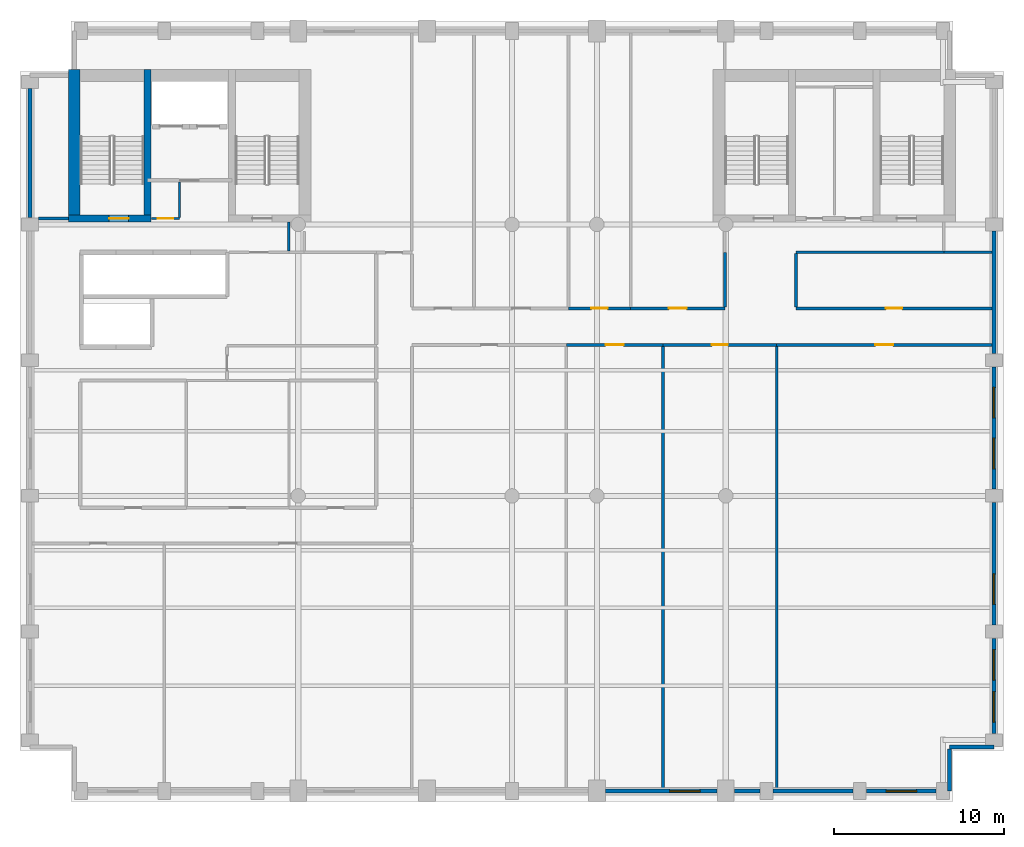
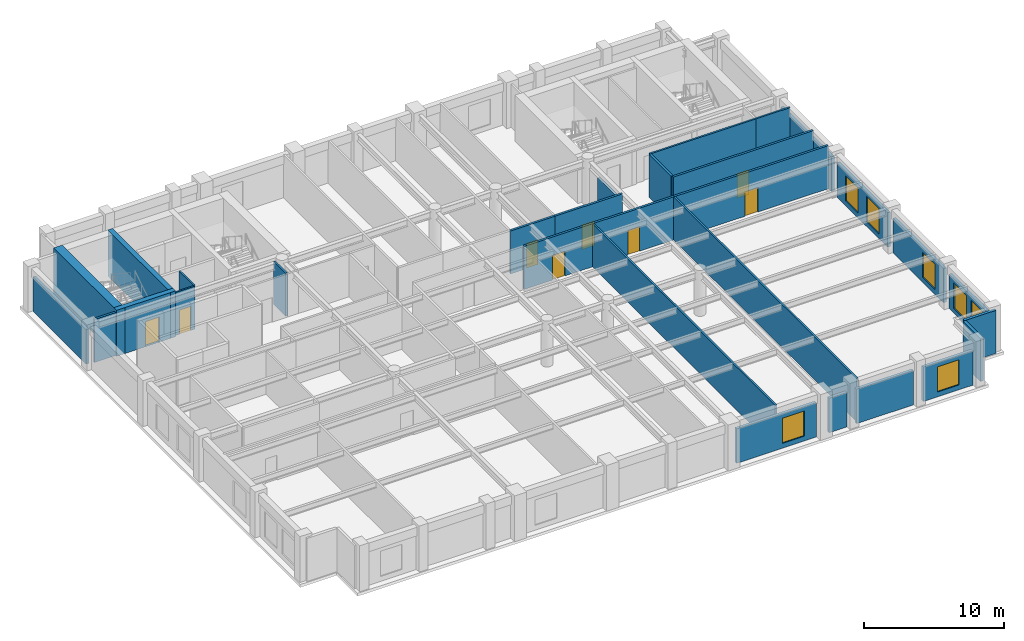
# One storey, part 4 of 8: 30 walls, 8 doors, 7 windows, 15 openings.
"""IFC4 building model written with IfcOpenShell, lengths in metres."""

from ifc_helpers import new_model, si_unit, direction, frame, frame_2d, origin, place, context, subcontext, project, spatial, rectangle, extrude, material, layer, layer_set, type_object, element, fill, save


model = new_model("IFC4")

# Units and contexts
model_context = context("Model", 3, precision=1e-05, world=origin(), true_north=direction((0.0, 1.0)))
body_context = subcontext(model_context, "Body", "Model", "MODEL_VIEW")
ifc_project = project(units=[si_unit("LENGTHUNIT", "METRE"), si_unit("AREAUNIT", "SQUARE_METRE"), si_unit("VOLUMEUNIT", "CUBIC_METRE"), si_unit("PLANEANGLEUNIT", "RADIAN"), si_unit("MASSUNIT", "GRAM", prefix="KILO")], contexts=[model_context])

# Site, building, storey
site_placement = place(None, origin())
site = spatial("IfcSite", under=ifc_project, at=site_placement, CompositionType="ELEMENT")
building_placement = place(site_placement, origin())
building = spatial("IfcBuilding", under=site, at=building_placement, Name="Sulina Concourse Tower", CompositionType="ELEMENT")
storey_placement = place(building_placement, frame((0.0, 0.0, 222.60009765625)))
storey = spatial("IfcBuildingStorey", under=building, at=storey_placement, Name="L54", CompositionType="ELEMENT", Elevation=222.60009765625)

# Wall, opening, window
ifc_material_1 = material(Name="Precast concrete C50/60", Category="concrete")
ifc_layer_1 = layer(ifc_material_1, 0.239990234375)
ifc_layer_set_1 = layer_set([ifc_layer_1], Name="Precast concrete C50/60")
wall_type_1 = type_object("IfcWallType", Name="Crown Precast Masonry-Frame Facade Wall 240mm", PredefinedType="SOLIDWALL", material=ifc_layer_set_1)
wall_1_placement = place(storey_placement, frame((41.080078125, 0.60009765625, 0.0), z_axis=(0.0, 0.0, 1.0), x_axis=(-1.0, 0.0, 0.0)))
wall_1 = element("IfcWall", 1, at=wall_1_placement, inside=storey, type_object=wall_type_1, Name="L54 exterior precast wall S7", PredefinedType="SOLIDWALL", context=body_context, shape_type="SweptSolid", body=[
    extrude(rectangle(XDim=6.56005859375, YDim=0.239990234375, at=frame_2d((3.280029296875, 0.0))), origin(), (0.0, 0.0, 1.0), 3.0),
])
opening_1_placement = place(wall_1_placement, frame((0.98681640625, 0.0, 0.419921875)))
opening_1 = element("IfcOpeningElement", 2, at=opening_1_placement, cuts=wall_1, Name="Opening WN-25", PredefinedType="OPENING", context=body_context, shape_type="SweptSolid", body=[
    extrude(rectangle(XDim=1.800048828125, YDim=2.199951171875, at=frame_2d((0.89990234375, 1.10009765625))), frame((0.0, 0.1298828125, 0.0), z_axis=(0.0, -1.0, 0.0), x_axis=(1.0, 0.0, 0.0)), (0.0, 0.0, 1.0), 0.260009765625),
])
ifc_material_2 = material(Name="Low-E solar double glazing in bronze aluminium", Category="aluminium")
window_type = type_object("IfcWindowType", Name="Punched Masonry-Frame Window 1800x2200", PartitioningType="SINGLE_PANEL", PredefinedType="WINDOW", material=ifc_material_2)
window_1_placement = place(opening_1_placement, origin())
window_1 = element("IfcWindow", 3, at=window_1_placement, inside=storey, type_object=window_type, Name="L54 punched window S7-1", OverallHeight=2.199951171875, OverallWidth=1.800048828125, PartitioningType="SINGLE_PANEL", PredefinedType="WINDOW", context=body_context, shape_type="SweptSolid", body=[
    extrude(rectangle(XDim=1.800048828125, YDim=2.199951171875, at=frame_2d((0.89990234375, 1.10009765625))), frame((0.0, 0.030029296875, 0.0), z_axis=(0.0, -1.0, 0.0), x_axis=(1.0, 0.0, 0.0)), (0.0, 0.0, 1.0), 0.06005859375),
])
fill(opening_1, window_1)

# Walls
wall_2_placement = place(storey_placement, frame((43.60498046875, 0.60009765625, 0.0), z_axis=(0.0, 0.0, 1.0), x_axis=(-1.0, 0.0, 0.0)))
element("IfcWall", 4, at=wall_2_placement, inside=storey, type_object=wall_type_1, Name="L54 exterior precast wall S8", PredefinedType="SOLIDWALL", context=body_context, shape_type="SweptSolid", body=[
    extrude(rectangle(XDim=1.48486328125, YDim=0.239990234375, at=frame_2d((0.742431640625, 0.0))), origin(), (0.0, 0.0, 1.0), 3.0),
])
wall_3_placement = place(storey_placement, frame((49.10498046875, 0.60009765625, 0.0), z_axis=(0.0, 0.0, 1.0), x_axis=(-1.0, 0.0, 0.0)))
element("IfcWall", 5, at=wall_3_placement, inside=storey, type_object=wall_type_1, Name="L54 exterior precast wall S9", PredefinedType="SOLIDWALL", context=body_context, shape_type="SweptSolid", body=[
    extrude(rectangle(XDim=4.7099609375, YDim=0.239990234375, at=frame_2d((2.35498046875, 0.0))), origin(), (0.0, 0.0, 1.0), 3.0),
])

# Wall, opening, window
wall_4_placement = place(storey_placement, frame((54.0048828125, 0.60009765625, 0.0), z_axis=(0.0, 0.0, 1.0), x_axis=(-1.0, 0.0, 0.0)))
wall_4 = element("IfcWall", 6, at=wall_4_placement, inside=storey, type_object=wall_type_1, Name="L54 exterior precast wall S10", PredefinedType="SOLIDWALL", context=body_context, shape_type="SweptSolid", body=[
    extrude(rectangle(XDim=4.10986328125, YDim=0.239990234375, at=frame_2d((2.054931640625, 0.0))), origin(), (0.0, 0.0, 1.0), 3.0),
])
opening_2_placement = place(wall_4_placement, frame((1.155029296875, 0.0, 0.419921875)))
opening_2 = element("IfcOpeningElement", 7, at=opening_2_placement, cuts=wall_4, Name="Opening WN-25", PredefinedType="OPENING", context=body_context, shape_type="SweptSolid", body=[
    extrude(rectangle(XDim=1.800048828125, YDim=2.199951171875, at=frame_2d((0.89990234375, 1.10009765625))), frame((0.0, 0.1298828125, 0.0), z_axis=(0.0, -1.0, 0.0), x_axis=(1.0, 0.0, 0.0)), (0.0, 0.0, 1.0), 0.260009765625),
])
window_2_placement = place(opening_2_placement, origin())
window_2 = element("IfcWindow", 8, at=window_2_placement, inside=storey, type_object=window_type, Name="L54 punched window S10-1", OverallHeight=2.199951171875, OverallWidth=1.800048828125, PartitioningType="SINGLE_PANEL", PredefinedType="WINDOW", context=body_context, shape_type="SweptSolid", body=[
    extrude(rectangle(XDim=1.800048828125, YDim=2.199951171875, at=frame_2d((0.89990234375, 1.10009765625))), frame((0.0, 0.030029296875, 0.0), z_axis=(0.0, -1.0, 0.0), x_axis=(1.0, 0.0, 0.0)), (0.0, 0.0, 1.0), 0.06005859375),
])
fill(opening_2, window_2)

# Wall
wall_5_placement = place(storey_placement, frame((0.60009765625, 34.39501953125, 0.0), z_axis=(0.0, 0.0, 1.0), x_axis=(0.0, 1.0, 0.0)))
element("IfcWall", 9, at=wall_5_placement, inside=storey, type_object=wall_type_1, Name="L54 exterior precast wall W5", PredefinedType="SOLIDWALL", context=body_context, shape_type="SweptSolid", body=[
    extrude(rectangle(XDim=7.60986328125, YDim=0.239990234375, at=frame_2d((3.804931640625, 0.0))), origin(), (0.0, 0.0, 1.0), 3.0),
])

# Wall, openings, windows
wall_6_placement = place(storey_placement, frame((57.39990234375, 9.60498046875, 0.0), z_axis=(0.0, 0.0, 1.0), x_axis=(0.0, -1.0, 0.0)))
wall_6 = element("IfcWall", 10, at=wall_6_placement, inside=storey, type_object=wall_type_1, Name="L54 exterior precast wall E1", PredefinedType="SOLIDWALL", context=body_context, shape_type="SweptSolid", body=[
    extrude(rectangle(XDim=5.60986328125, YDim=0.239990234375, at=frame_2d((2.804931640625, 0.0))), origin(), (0.0, 0.0, 1.0), 3.0),
])
opening_3_placement = place(wall_6_placement, frame((0.669921875, 0.0, 0.419921875)))
opening_3 = element("IfcOpeningElement", 11, at=opening_3_placement, cuts=wall_6, Name="Opening WN-25", PredefinedType="OPENING", context=body_context, shape_type="SweptSolid", body=[
    extrude(rectangle(XDim=1.800048828125, YDim=2.199951171875, at=frame_2d((0.89990234375, 1.10009765625))), frame((0.0, 0.1298828125, 0.0), z_axis=(0.0, -1.0, 0.0), x_axis=(1.0, 0.0, 0.0)), (0.0, 0.0, 1.0), 0.260009765625),
])
opening_4_placement = place(wall_6_placement, frame((3.139892578125, 0.0, 0.419921875)))
opening_4 = element("IfcOpeningElement", 12, at=opening_4_placement, cuts=wall_6, Name="Opening WN-25", PredefinedType="OPENING", context=body_context, shape_type="SweptSolid", body=[
    extrude(rectangle(XDim=1.800048828125, YDim=2.199951171875, at=frame_2d((0.89990234375, 1.10009765625))), frame((0.0, 0.1298828125, 0.0), z_axis=(0.0, -1.0, 0.0), x_axis=(1.0, 0.0, 0.0)), (0.0, 0.0, 1.0), 0.260009765625),
])
window_3_placement = place(opening_3_placement, origin())
window_3 = element("IfcWindow", 13, at=window_3_placement, inside=storey, type_object=window_type, Name="L54 punched window E1-1", OverallHeight=2.199951171875, OverallWidth=1.800048828125, PartitioningType="SINGLE_PANEL", PredefinedType="WINDOW", context=body_context, shape_type="SweptSolid", body=[
    extrude(rectangle(XDim=1.800048828125, YDim=2.199951171875, at=frame_2d((0.89990234375, 1.10009765625))), frame((0.0, 0.030029296875, 0.0), z_axis=(0.0, -1.0, 0.0), x_axis=(1.0, 0.0, 0.0)), (0.0, 0.0, 1.0), 0.06005859375),
])
fill(opening_3, window_3)
window_4_placement = place(opening_4_placement, origin())
window_4 = element("IfcWindow", 14, at=window_4_placement, inside=storey, type_object=window_type, Name="L54 punched window E1-2", OverallHeight=2.199951171875, OverallWidth=1.800048828125, PartitioningType="SINGLE_PANEL", PredefinedType="WINDOW", context=body_context, shape_type="SweptSolid", body=[
    extrude(rectangle(XDim=1.800048828125, YDim=2.199951171875, at=frame_2d((0.89990234375, 1.10009765625))), frame((0.0, 0.030029296875, 0.0), z_axis=(0.0, -1.0, 0.0), x_axis=(1.0, 0.0, 0.0)), (0.0, 0.0, 1.0), 0.06005859375),
])
fill(opening_4, window_4)

# Wall, opening, window
wall_7_placement = place(storey_placement, frame((57.39990234375, 17.60498046875, 0.0), z_axis=(0.0, 0.0, 1.0), x_axis=(0.0, -1.0, 0.0)))
wall_7 = element("IfcWall", 15, at=wall_7_placement, inside=storey, type_object=wall_type_1, Name="L54 exterior precast wall E2", PredefinedType="SOLIDWALL", context=body_context, shape_type="SweptSolid", body=[
    extrude(rectangle(XDim=7.2099609375, YDim=0.239990234375, at=frame_2d((3.60498046875, 0.0))), origin(), (0.0, 0.0, 1.0), 3.0),
])
opening_5_placement = place(wall_7_placement, frame((4.206787109375, 0.0, 0.419921875)))
opening_5 = element("IfcOpeningElement", 16, at=opening_5_placement, cuts=wall_7, Name="Opening WN-25", PredefinedType="OPENING", context=body_context, shape_type="SweptSolid", body=[
    extrude(rectangle(XDim=1.800048828125, YDim=2.199951171875, at=frame_2d((0.89990234375, 1.10009765625))), frame((0.0, 0.1298828125, 0.0), z_axis=(0.0, -1.0, 0.0), x_axis=(1.0, 0.0, 0.0)), (0.0, 0.0, 1.0), 0.260009765625),
])
window_5_placement = place(opening_5_placement, origin())
window_5 = element("IfcWindow", 17, at=window_5_placement, inside=storey, type_object=window_type, Name="L54 punched window E2-1", OverallHeight=2.199951171875, OverallWidth=1.800048828125, PartitioningType="SINGLE_PANEL", PredefinedType="WINDOW", context=body_context, shape_type="SweptSolid", body=[
    extrude(rectangle(XDim=1.800048828125, YDim=2.199951171875, at=frame_2d((0.89990234375, 1.10009765625))), frame((0.0, 0.030029296875, 0.0), z_axis=(0.0, -1.0, 0.0), x_axis=(1.0, 0.0, 0.0)), (0.0, 0.0, 1.0), 0.06005859375),
])
fill(opening_5, window_5)

# Wall, openings, windows
wall_8_placement = place(storey_placement, frame((57.39990234375, 25.60498046875, 0.0), z_axis=(0.0, 0.0, 1.0), x_axis=(0.0, -1.0, 0.0)))
wall_8 = element("IfcWall", 18, at=wall_8_placement, inside=storey, type_object=wall_type_1, Name="L54 exterior precast wall E3", PredefinedType="SOLIDWALL", context=body_context, shape_type="SweptSolid", body=[
    extrude(rectangle(XDim=7.2099609375, YDim=0.239990234375, at=frame_2d((3.60498046875, 0.0))), origin(), (0.0, 0.0, 1.0), 3.0),
])
opening_6_placement = place(wall_8_placement, frame((1.203369140625, 0.0, 0.419921875)))
opening_6 = element("IfcOpeningElement", 19, at=opening_6_placement, cuts=wall_8, Name="Opening WN-25", PredefinedType="OPENING", context=body_context, shape_type="SweptSolid", body=[
    extrude(rectangle(XDim=1.800048828125, YDim=2.199951171875, at=frame_2d((0.89990234375, 1.10009765625))), frame((0.0, 0.1298828125, 0.0), z_axis=(0.0, -1.0, 0.0), x_axis=(1.0, 0.0, 0.0)), (0.0, 0.0, 1.0), 0.260009765625),
])
opening_7_placement = place(wall_8_placement, frame((4.206787109375, 0.0, 0.419921875)))
opening_7 = element("IfcOpeningElement", 20, at=opening_7_placement, cuts=wall_8, Name="Opening WN-25", PredefinedType="OPENING", context=body_context, shape_type="SweptSolid", body=[
    extrude(rectangle(XDim=1.800048828125, YDim=2.199951171875, at=frame_2d((0.89990234375, 1.10009765625))), frame((0.0, 0.1298828125, 0.0), z_axis=(0.0, -1.0, 0.0), x_axis=(1.0, 0.0, 0.0)), (0.0, 0.0, 1.0), 0.260009765625),
])
window_6_placement = place(opening_6_placement, origin())
window_6 = element("IfcWindow", 21, at=window_6_placement, inside=storey, type_object=window_type, Name="L54 punched window E3-1", OverallHeight=2.199951171875, OverallWidth=1.800048828125, PartitioningType="SINGLE_PANEL", PredefinedType="WINDOW", context=body_context, shape_type="SweptSolid", body=[
    extrude(rectangle(XDim=1.800048828125, YDim=2.199951171875, at=frame_2d((0.89990234375, 1.10009765625))), frame((0.0, 0.030029296875, 0.0), z_axis=(0.0, -1.0, 0.0), x_axis=(1.0, 0.0, 0.0)), (0.0, 0.0, 1.0), 0.06005859375),
])
fill(opening_6, window_6)
window_7_placement = place(opening_7_placement, origin())
window_7 = element("IfcWindow", 22, at=window_7_placement, inside=storey, type_object=window_type, Name="L54 punched window E3-2", OverallHeight=2.199951171875, OverallWidth=1.800048828125, PartitioningType="SINGLE_PANEL", PredefinedType="WINDOW", context=body_context, shape_type="SweptSolid", body=[
    extrude(rectangle(XDim=1.800048828125, YDim=2.199951171875, at=frame_2d((0.89990234375, 1.10009765625))), frame((0.0, 0.030029296875, 0.0), z_axis=(0.0, -1.0, 0.0), x_axis=(1.0, 0.0, 0.0)), (0.0, 0.0, 1.0), 0.06005859375),
])
fill(opening_7, window_7)

# Walls
wall_9_placement = place(storey_placement, frame((57.39990234375, 33.60498046875, 0.0), z_axis=(0.0, 0.0, 1.0), x_axis=(0.0, -1.0, 0.0)))
element("IfcWall", 23, at=wall_9_placement, inside=storey, type_object=wall_type_1, Name="L54 exterior precast wall E4", PredefinedType="SOLIDWALL", context=body_context, shape_type="SweptSolid", body=[
    extrude(rectangle(XDim=7.2099609375, YDim=0.239990234375, at=frame_2d((3.60498046875, 0.0))), origin(), (0.0, 0.0, 1.0), 3.0),
])
wall_10_placement = place(storey_placement, frame((57.39990234375, 3.205078125, 0.0), z_axis=(0.0, 0.0, 1.0), x_axis=(-1.0, 0.0, 0.0)))
element("IfcWall", 24, at=wall_10_placement, inside=storey, type_object=wall_type_1, Name="L54 exterior precast wall CSE1", PredefinedType="SOLIDWALL", context=body_context, shape_type="SweptSolid", body=[
    extrude(rectangle(XDim=2.60498046875, YDim=0.239990234375, at=frame_2d((1.302490234375, 0.0))), origin(), (0.0, 0.0, 1.0), 3.75),
])
wall_11_placement = place(storey_placement, frame((54.794921875, 3.080078125, 0.0), z_axis=(0.0, 0.0, 1.0), x_axis=(0.0, -1.0, 0.0)))
element("IfcWall", 25, at=wall_11_placement, inside=storey, type_object=wall_type_1, Name="L54 exterior precast wall CSE2", PredefinedType="SOLIDWALL", context=body_context, shape_type="SweptSolid", body=[
    extrude(rectangle(XDim=2.47998046875, YDim=0.239990234375, at=frame_2d((1.239990234375, 0.0))), origin(), (0.0, 0.0, 1.0), 3.75),
])
ifc_material_3 = material(Name="Gypsum board on steel stud", Category="steel")
ifc_layer_2 = layer(ifc_material_3, 0.14990234375)
ifc_layer_set_2 = layer_set([ifc_layer_2], Name="Gypsum board on steel stud")
wall_type_2 = type_object("IfcWallType", Name="Inter-Tenancy Acoustic Partition 150mm", PredefinedType="PARTITIONING", material=ifc_layer_set_2)
wall_12_placement = place(storey_placement, frame((45.75, 32.35009765625, 0.0), z_axis=(0.0, 0.0, 1.0), x_axis=(1.0, 0.0, 0.0)))
element("IfcWall", 26, at=wall_12_placement, inside=storey, type_object=wall_type_2, Name="L54 interior partition 024", PredefinedType="PARTITIONING", context=body_context, shape_type="SweptSolid", body=[
    extrude(rectangle(XDim=8.699951171875, YDim=0.14990234375, at=frame_2d((4.35009765625, 0.0))), origin(), (0.0, 0.0, 1.0), 3.75),
])
wall_13_placement = place(storey_placement, frame((54.449951171875, 32.35009765625, 0.0), z_axis=(0.0, 0.0, 1.0), x_axis=(1.0, 0.0, 0.0)))
element("IfcWall", 27, at=wall_13_placement, inside=storey, type_object=wall_type_2, Name="L54 interior partition 025", PredefinedType="PARTITIONING", context=body_context, shape_type="SweptSolid", body=[
    extrude(rectangle(XDim=2.830078125, YDim=0.14990234375, at=frame_2d((1.4150390625, 0.0))), origin(), (0.0, 0.0, 1.0), 3.75),
])
wall_14_placement = place(storey_placement, frame((15.85009765625, 32.425048828125, 0.0), z_axis=(0.0, 0.0, 1.0), x_axis=(0.0, 1.0, 0.0)))
element("IfcWall", 28, at=wall_14_placement, inside=storey, type_object=wall_type_2, Name="L54 interior partition 036", PredefinedType="PARTITIONING", context=body_context, shape_type="SweptSolid", body=[
    extrude(rectangle(XDim=1.724853515625, YDim=0.14990234375, at=frame_2d((0.8623046875, 0.0))), origin(), (0.0, 0.0, 1.0), 3.75),
])
for number, where, z_axis, x_axis, name in (
    (29, (37.89990234375, 0.719970703125, 0.0), (0.0, 0.0, 1.0), (0.0, 1.0, 0.0), "L54 interior partition 050"),
    (30, (44.60009765625, 0.719970703125, 0.0), (0.0, 0.0, 1.0), (0.0, 1.0, 0.0), "L54 interior partition 054"),
):
    element("IfcWall", number, at=place(storey_placement, frame(where, z_axis=z_axis, x_axis=x_axis)), inside=storey, type_object=wall_type_2, Name=name, PredefinedType="PARTITIONING", context=body_context, shape_type="SweptSolid", body=[
        extrude(rectangle(XDim=26.090087890625, YDim=0.14990234375, at=frame_2d((13.044921875, 0.0))), origin(), (0.0, 0.0, 1.0), 3.75),
    ])

# Wall, opening, door
ifc_material_4 = material(Name="Gypsum board on steel stud", Category="steel")
ifc_layer_3 = layer(ifc_material_4, 0.179931640625)
ifc_layer_set_3 = layer_set([ifc_layer_3], Name="Gypsum board on steel stud")
wall_type_3 = type_object("IfcWallType", Name="Protected Corridor & Riser Partition 180mm", PredefinedType="PARTITIONING", material=ifc_layer_set_3)
wall_15_placement = place(storey_placement, frame((32.199951171875, 26.89990234375, 0.0), z_axis=(0.0, 0.0, 1.0), x_axis=(1.0, 0.0, 0.0)))
wall_15 = element("IfcWall", 31, at=wall_15_placement, inside=storey, type_object=wall_type_3, Name="L54 interior partition 012", PredefinedType="PARTITIONING", context=body_context, shape_type="SweptSolid", body=[
    extrude(rectangle(XDim=5.699951171875, YDim=0.179931640625, at=frame_2d((2.85009765625, 0.0))), origin(), (0.0, 0.0, 1.0), 3.75),
])
opening_8_placement = place(wall_15_placement, frame((2.324951171875, 0.0, 0.0)))
opening_8 = element("IfcOpeningElement", 32, at=opening_8_placement, cuts=wall_15, Name="Opening DR-37", PredefinedType="OPENING", context=body_context, shape_type="SweptSolid", body=[
    extrude(rectangle(XDim=1.050048828125, YDim=2.14990234375, at=frame_2d((0.52490234375, 1.074951171875))), frame((0.0, 0.099853515625, 0.0), z_axis=(0.0, -1.0, 0.0), x_axis=(1.0, 0.0, 0.0)), (0.0, 0.0, 1.0), 0.199951171875),
])
ifc_material_5 = material(Name="Oak-veneered fire door leaf")
ifc_layer_4 = layer(ifc_material_5, 0.050048828125)
ifc_layer_set_4 = layer_set([ifc_layer_4], Name="Oak-veneered fire door leaf")
door_type_1 = type_object("IfcDoorType", Name="Tenant Suite Entrance Fire Door 1050x2150", OperationType="NOTDEFINED", PredefinedType="DOOR", material=ifc_layer_set_4)
door_1_placement = place(opening_8_placement, origin())
door_1 = element("IfcDoor", 33, at=door_1_placement, inside=storey, type_object=door_type_1, Name="L54 interior door L54-S04A", OperationType="SINGLE_SWING_LEFT", OverallHeight=2.14990234375, OverallWidth=1.050048828125, PredefinedType="DOOR", context=body_context, shape_type="SweptSolid", body=[
    extrude(rectangle(XDim=1.050048828125, YDim=2.14990234375, at=frame_2d((0.52490234375, 1.074951171875))), frame((0.0, 0.02490234375, 0.0), z_axis=(0.0, -1.0, 0.0), x_axis=(1.0, 0.0, 0.0)), (0.0, 0.0, 1.0), 0.050048828125),
])
fill(opening_8, door_1)

wall_16_placement = place(storey_placement, frame((37.89990234375, 26.89990234375, 0.0), z_axis=(0.0, 0.0, 1.0), x_axis=(1.0, 0.0, 0.0)))
wall_16 = element("IfcWall", 34, at=wall_16_placement, inside=storey, type_object=wall_type_3, Name="L54 interior partition 013", PredefinedType="PARTITIONING", context=body_context, shape_type="SweptSolid", body=[
    extrude(rectangle(XDim=6.7001953125, YDim=0.179931640625, at=frame_2d((3.35009765625, 0.0))), origin(), (0.0, 0.0, 1.0), 3.75),
])
opening_9_placement = place(wall_16_placement, frame((2.875, 0.0, 0.0)))
opening_9 = element("IfcOpeningElement", 35, at=opening_9_placement, cuts=wall_16, Name="Opening DR-19", PredefinedType="OPENING", context=body_context, shape_type="SweptSolid", body=[
    extrude(rectangle(XDim=0.949951171875, YDim=2.14990234375, at=frame_2d((0.47509765625, 1.074951171875))), frame((0.0, 0.099853515625, 0.0), z_axis=(0.0, -1.0, 0.0), x_axis=(1.0, 0.0, 0.0)), (0.0, 0.0, 1.0), 0.199951171875),
])
ifc_material_6 = material(Name="Oak-veneered acoustic timber leaf", Category="wood")
ifc_layer_5 = layer(ifc_material_6, 0.050048828125)
ifc_layer_set_5 = layer_set([ifc_layer_5], Name="Oak-veneered acoustic timber leaf")
door_type_2 = type_object("IfcDoorType", Name="Cellular Office & Meeting Door 950x2150", OperationType="NOTDEFINED", PredefinedType="DOOR", material=ifc_layer_set_5)
door_2_placement = place(opening_9_placement, origin())
door_2 = element("IfcDoor", 36, at=door_2_placement, inside=storey, type_object=door_type_2, Name="L54 interior door L54-S04B", OperationType="SINGLE_SWING_RIGHT", OverallHeight=2.14990234375, OverallWidth=0.949951171875, PredefinedType="DOOR", context=body_context, shape_type="SweptSolid", body=[
    extrude(rectangle(XDim=0.949951171875, YDim=2.14990234375, at=frame_2d((0.47509765625, 1.074951171875))), frame((0.0, 0.02490234375, 0.0), z_axis=(0.0, -1.0, 0.0), x_axis=(1.0, 0.0, 0.0)), (0.0, 0.0, 1.0), 0.050048828125),
])
fill(opening_9, door_2)

wall_17_placement = place(storey_placement, frame((44.60009765625, 26.89990234375, 0.0), z_axis=(0.0, 0.0, 1.0), x_axis=(1.0, 0.0, 0.0)))
wall_17 = element("IfcWall", 37, at=wall_17_placement, inside=storey, type_object=wall_type_3, Name="L54 interior partition 014", PredefinedType="PARTITIONING", context=body_context, shape_type="SweptSolid", body=[
    extrude(rectangle(XDim=12.679931640625, YDim=0.179931640625, at=frame_2d((6.33984375, 0.0))), origin(), (0.0, 0.0, 1.0), 3.75),
])
opening_10_placement = place(wall_17_placement, frame((5.81494140625, 0.0, 0.0)))
opening_10 = element("IfcOpeningElement", 38, at=opening_10_placement, cuts=wall_17, Name="Opening DR-37", PredefinedType="OPENING", context=body_context, shape_type="SweptSolid", body=[
    extrude(rectangle(XDim=1.050048828125, YDim=2.14990234375, at=frame_2d((0.52490234375, 1.074951171875))), frame((0.0, 0.099853515625, 0.0), z_axis=(0.0, -1.0, 0.0), x_axis=(1.0, 0.0, 0.0)), (0.0, 0.0, 1.0), 0.199951171875),
])
door_3_placement = place(opening_10_placement, origin())
door_3 = element("IfcDoor", 39, at=door_3_placement, inside=storey, type_object=door_type_1, Name="L54 interior door L54-S05", OperationType="SINGLE_SWING_LEFT", OverallHeight=2.14990234375, OverallWidth=1.050048828125, PredefinedType="DOOR", context=body_context, shape_type="SweptSolid", body=[
    extrude(rectangle(XDim=1.050048828125, YDim=2.14990234375, at=frame_2d((0.52490234375, 1.074951171875))), frame((0.0, 0.02490234375, 0.0), z_axis=(0.0, -1.0, 0.0), x_axis=(1.0, 0.0, 0.0)), (0.0, 0.0, 1.0), 0.050048828125),
])
fill(opening_10, door_3)

wall_18_placement = place(storey_placement, frame((32.330078125, 29.050048828125, 0.0), z_axis=(0.0, 0.0, 1.0), x_axis=(1.0, 0.0, 0.0)))
wall_18 = element("IfcWall", 40, at=wall_18_placement, inside=storey, type_object=wall_type_3, Name="L54 interior partition 017", PredefinedType="PARTITIONING", context=body_context, shape_type="SweptSolid", body=[
    extrude(rectangle(XDim=3.659912109375, YDim=0.179931640625, at=frame_2d((1.830078125, 0.0))), origin(), (0.0, 0.0, 1.0), 3.75),
])
opening_11_placement = place(wall_18_placement, frame((1.35498046875, 0.0, 0.0)))
opening_11 = element("IfcOpeningElement", 41, at=opening_11_placement, cuts=wall_18, Name="Opening DR-19", PredefinedType="OPENING", context=body_context, shape_type="SweptSolid", body=[
    extrude(rectangle(XDim=0.949951171875, YDim=2.14990234375, at=frame_2d((0.47509765625, 1.074951171875))), frame((0.0, 0.099853515625, 0.0), z_axis=(0.0, -1.0, 0.0), x_axis=(1.0, 0.0, 0.0)), (0.0, 0.0, 1.0), 0.199951171875),
])
door_4_placement = place(opening_11_placement, origin())
door_4 = element("IfcDoor", 42, at=door_4_placement, inside=storey, type_object=door_type_2, Name="L54 interior door L54-NC3", OperationType="SINGLE_SWING_RIGHT", OverallHeight=2.14990234375, OverallWidth=0.949951171875, PredefinedType="DOOR", context=body_context, shape_type="SweptSolid", body=[
    extrude(rectangle(XDim=0.949951171875, YDim=2.14990234375, at=frame_2d((0.47509765625, 1.074951171875))), frame((0.0, 0.02490234375, 0.0), z_axis=(0.0, -1.0, 0.0), x_axis=(1.0, 0.0, 0.0)), (0.0, 0.0, 1.0), 0.050048828125),
])
fill(opening_11, door_4)

wall_19_placement = place(storey_placement, frame((35.989990234375, 29.050048828125, 0.0), z_axis=(0.0, 0.0, 1.0), x_axis=(1.0, 0.0, 0.0)))
wall_19 = element("IfcWall", 43, at=wall_19_placement, inside=storey, type_object=wall_type_3, Name="L54 interior partition 018", PredefinedType="PARTITIONING", context=body_context, shape_type="SweptSolid", body=[
    extrude(rectangle(XDim=5.56005859375, YDim=0.179931640625, at=frame_2d((2.780029296875, 0.0))), origin(), (0.0, 0.0, 1.0), 3.75),
])
opening_12_placement = place(wall_19_placement, frame((2.2548828125, 0.0, 0.0)))
opening_12 = element("IfcOpeningElement", 44, at=opening_12_placement, cuts=wall_19, Name="Opening DR-37", PredefinedType="OPENING", context=body_context, shape_type="SweptSolid", body=[
    extrude(rectangle(XDim=1.050048828125, YDim=2.14990234375, at=frame_2d((0.52490234375, 1.074951171875))), frame((0.0, 0.099853515625, 0.0), z_axis=(0.0, -1.0, 0.0), x_axis=(1.0, 0.0, 0.0)), (0.0, 0.0, 1.0), 0.199951171875),
])
door_5_placement = place(opening_12_placement, origin())
door_5 = element("IfcDoor", 45, at=door_5_placement, inside=storey, type_object=door_type_1, Name="L54 interior door L54-NC4", OperationType="SINGLE_SWING_LEFT", OverallHeight=2.14990234375, OverallWidth=1.050048828125, PredefinedType="DOOR", context=body_context, shape_type="SweptSolid", body=[
    extrude(rectangle(XDim=1.050048828125, YDim=2.14990234375, at=frame_2d((0.52490234375, 1.074951171875))), frame((0.0, 0.02490234375, 0.0), z_axis=(0.0, -1.0, 0.0), x_axis=(1.0, 0.0, 0.0)), (0.0, 0.0, 1.0), 0.050048828125),
])
fill(opening_12, door_5)

wall_20_placement = place(storey_placement, frame((45.75, 29.050048828125, 0.0), z_axis=(0.0, 0.0, 1.0), x_axis=(1.0, 0.0, 0.0)))
wall_20 = element("IfcWall", 46, at=wall_20_placement, inside=storey, type_object=wall_type_3, Name="L54 interior partition 019", PredefinedType="PARTITIONING", context=body_context, shape_type="SweptSolid", body=[
    extrude(rectangle(XDim=11.530029296875, YDim=0.179931640625, at=frame_2d((5.76513671875, 0.0))), origin(), (0.0, 0.0, 1.0), 3.75),
])
opening_13_placement = place(wall_20_placement, frame((5.2900390625, 0.0, 0.0)))
opening_13 = element("IfcOpeningElement", 47, at=opening_13_placement, cuts=wall_20, Name="Opening DR-19", PredefinedType="OPENING", context=body_context, shape_type="SweptSolid", body=[
    extrude(rectangle(XDim=0.949951171875, YDim=2.14990234375, at=frame_2d((0.47509765625, 1.074951171875))), frame((0.0, 0.099853515625, 0.0), z_axis=(0.0, -1.0, 0.0), x_axis=(1.0, 0.0, 0.0)), (0.0, 0.0, 1.0), 0.199951171875),
])
door_6_placement = place(opening_13_placement, origin())
door_6 = element("IfcDoor", 48, at=door_6_placement, inside=storey, type_object=door_type_2, Name="L54 interior door L54-NE1", OperationType="SINGLE_SWING_RIGHT", OverallHeight=2.14990234375, OverallWidth=0.949951171875, PredefinedType="DOOR", context=body_context, shape_type="SweptSolid", body=[
    extrude(rectangle(XDim=0.949951171875, YDim=2.14990234375, at=frame_2d((0.47509765625, 1.074951171875))), frame((0.0, 0.02490234375, 0.0), z_axis=(0.0, -1.0, 0.0), x_axis=(1.0, 0.0, 0.0)), (0.0, 0.0, 1.0), 0.050048828125),
])
fill(opening_13, door_6)

# Walls
wall_21_placement = place(storey_placement, frame((1.10009765625, 34.35009765625, 0.0), z_axis=(0.0, 0.0, 1.0), x_axis=(1.0, 0.0, 0.0)))
element("IfcWall", 49, at=wall_21_placement, inside=storey, type_object=wall_type_3, Name="L54 interior partition 026", PredefinedType="PARTITIONING", context=body_context, shape_type="SweptSolid", body=[
    extrude(rectangle(XDim=1.75, YDim=0.179931640625, at=frame_2d((0.875, 0.0))), origin(), (0.0, 0.0, 1.0), 3.75),
])
wall_22_placement = place(storey_placement, frame((41.550048828125, 29.139892578125, 0.0), z_axis=(0.0, 0.0, 1.0), x_axis=(0.0, 1.0, 0.0)))
element("IfcWall", 50, at=wall_22_placement, inside=storey, type_object=wall_type_3, Name="L54 interior partition 051", PredefinedType="PARTITIONING", context=body_context, shape_type="SweptSolid", body=[
    extrude(rectangle(XDim=3.210205078125, YDim=0.179931640625, at=frame_2d((1.60498046875, 0.0))), origin(), (0.0, 0.0, 1.0), 3.14501953125),
])
wall_23_placement = place(storey_placement, frame((45.75, 29.139892578125, 0.0), z_axis=(0.0, 0.0, 1.0), x_axis=(0.0, 1.0, 0.0)))
element("IfcWall", 51, at=wall_23_placement, inside=storey, type_object=wall_type_3, Name="L54 interior partition 055", PredefinedType="PARTITIONING", context=body_context, shape_type="SweptSolid", body=[
    extrude(rectangle(XDim=3.135009765625, YDim=0.179931640625, at=frame_2d((1.5673828125, 0.0))), origin(), (0.0, 0.0, 1.0), 3.75),
])

# Wall, opening, door
ifc_material_7 = material(Name="Concrete C60/75", Category="concrete")
ifc_layer_6 = layer(ifc_material_7, 0.39990234375)
ifc_layer_set_6 = layer_set([ifc_layer_6], Name="Concrete C60/75")
wall_type_4 = type_object("IfcWallType", Name="Protected Stair Core Shear Wall 400mm", PredefinedType="SHEAR", material=ifc_layer_set_6)
wall_24_placement = place(storey_placement, frame((2.85009765625, 34.35009765625, 0.0), z_axis=(0.0, 0.0, 1.0), x_axis=(1.0, 0.0, 0.0)))
wall_24 = element("IfcWall", 52, at=wall_24_placement, inside=storey, type_object=wall_type_4, Name="L54 west core shear wall CW-WS1", PredefinedType="SHEAR", context=body_context, shape_type="SweptSolid", body=[
    extrude(rectangle(XDim=4.85986328125, YDim=0.39990234375, at=frame_2d((2.429931640625, 0.0))), origin(), (0.0, 0.0, 1.0), 4.0),
])
opening_14_placement = place(wall_24_placement, frame((2.39990234375, 0.0, 0.0)))
opening_14 = element("IfcOpeningElement", 53, at=opening_14_placement, cuts=wall_24, Name="Opening DR-60", PredefinedType="OPENING", context=body_context, shape_type="SweptSolid", body=[
    extrude(rectangle(XDim=1.14990234375, YDim=2.199951171875, at=frame_2d((0.574951171875, 1.10009765625))), frame((0.0, 0.2099609375, 0.0), z_axis=(0.0, -1.0, 0.0), x_axis=(1.0, 0.0, 0.0)), (0.0, 0.0, 1.0), 0.419921875),
])
ifc_material_8 = material(Name="Galvanised steel acoustic fire leaf", Category="steel")
ifc_layer_7 = layer(ifc_material_8, 0.054931640625)
ifc_layer_set_7 = layer_set([ifc_layer_7], Name="Galvanised steel acoustic fire leaf")
door_type_3 = type_object("IfcDoorType", Name="Protected Exit Stair Fire Door 1150x2200", OperationType="NOTDEFINED", PredefinedType="DOOR", material=ifc_layer_set_7)
door_7_placement = place(opening_14_placement, origin())
door_7 = element("IfcDoor", 54, at=door_7_placement, inside=storey, type_object=door_type_3, Name="L54 stair ST-1 lobby fire door", OperationType="SINGLE_SWING_LEFT", OverallHeight=2.199951171875, OverallWidth=1.14990234375, PredefinedType="DOOR", context=body_context, shape_type="SweptSolid", body=[
    extrude(rectangle(XDim=1.14990234375, YDim=2.199951171875, at=frame_2d((0.574951171875, 1.10009765625))), frame((0.0, 0.02490234375, 0.0), z_axis=(0.0, -1.0, 0.0), x_axis=(1.0, 0.0, 0.0)), (0.0, 0.0, 1.0), 0.050048828125),
])
fill(opening_14, door_7)

# Walls
wall_25_placement = place(storey_placement, frame((7.510009765625, 34.14990234375, 0.0), z_axis=(0.0, 0.0, 1.0), x_axis=(0.0, 1.0, 0.0)))
element("IfcWall", 55, at=wall_25_placement, inside=storey, type_object=wall_type_4, Name="L54 west core shear wall SW-ST1", PredefinedType="SHEAR", context=body_context, shape_type="SweptSolid", body=[
    extrude(rectangle(XDim=8.97998046875, YDim=0.39990234375, at=frame_2d((4.489990234375, 0.0))), origin(), (0.0, 0.0, 1.0), 4.0),
])
ifc_material_9 = material(Name="Concrete C60/75", Category="concrete")
ifc_layer_8 = layer(ifc_material_9, 0.699951171875)
ifc_layer_set_8 = layer_set([ifc_layer_8], Name="Concrete C60/75")
wall_type_5 = type_object("IfcWallType", Name="Rear Core Shear Wall 700mm", PredefinedType="SHEAR", material=ifc_layer_set_8)
wall_26_placement = place(storey_placement, frame((3.199951171875, 34.14990234375, 0.0), z_axis=(0.0, 0.0, 1.0), x_axis=(0.0, 1.0, 0.0)))
element("IfcWall", 56, at=wall_26_placement, inside=storey, type_object=wall_type_5, Name="L54 west core shear wall CW-WW", PredefinedType="SHEAR", context=body_context, shape_type="SweptSolid", body=[
    extrude(rectangle(XDim=8.97998046875, YDim=0.699951171875, at=frame_2d((4.489990234375, 0.0))), origin(), (0.0, 0.0, 1.0), 4.0),
])

# Wall, opening, door
ifc_material_10 = material(Name="Gypsum board on steel stud", Category="steel")
ifc_layer_9 = layer(ifc_material_10, 0.125)
ifc_layer_set_9 = layer_set([ifc_layer_9], Name="Gypsum board on steel stud")
wall_type_6 = type_object("IfcWallType", Name="Wet-Area Moisture-Resistant Partition 125mm", PredefinedType="PARTITIONING", material=ifc_layer_set_9)
wall_27_placement = place(storey_placement, frame((7.75, 34.35009765625, 0.0), z_axis=(0.0, 0.0, 1.0), x_axis=(1.0, 0.0, 0.0)))
wall_27 = element("IfcWall", 57, at=wall_27_placement, inside=storey, type_object=wall_type_6, Name="L54 interior partition 027", PredefinedType="PARTITIONING", context=body_context, shape_type="SweptSolid", body=[
    extrude(rectangle(XDim=1.64990234375, YDim=0.125, at=frame_2d((0.824951171875, 0.0))), origin(), (0.0, 0.0, 1.0), 3.75),
])
opening_15_placement = place(wall_27_placement, frame((0.364990234375, 0.0, 0.0)))
opening_15 = element("IfcOpeningElement", 58, at=opening_15_placement, cuts=wall_27, Name="Opening DR-61", PredefinedType="OPENING", context=body_context, shape_type="SweptSolid", body=[
    extrude(rectangle(XDim=0.919921875, YDim=2.10009765625, at=frame_2d((0.4599609375, 1.050048828125))), frame((0.0, 0.072509765625, 0.0), z_axis=(0.0, -1.0, 0.0), x_axis=(1.0, 0.0, 0.0)), (0.0, 0.0, 1.0), 0.14501953125),
])
ifc_material_11 = material(Name="Oak-veneered fire door leaf")
ifc_layer_10 = layer(ifc_material_11, 0.050048828125)
ifc_layer_set_10 = layer_set([ifc_layer_10], Name="Oak-veneered fire door leaf")
door_type_4 = type_object("IfcDoorType", Name="Accessible WC Door 920x2100", OperationType="NOTDEFINED", PredefinedType="DOOR", material=ifc_layer_set_10)
door_8_placement = place(opening_15_placement, origin())
door_8 = element("IfcDoor", 59, at=door_8_placement, inside=storey, type_object=door_type_4, Name="L54 interior door L54-WC-ACC", OperationType="SINGLE_SWING_LEFT", OverallHeight=2.10009765625, OverallWidth=0.919921875, PredefinedType="DOOR", context=body_context, shape_type="SweptSolid", body=[
    extrude(rectangle(XDim=0.919921875, YDim=2.10009765625, at=frame_2d((0.4599609375, 1.050048828125))), frame((0.0, 0.02490234375, 0.0), z_axis=(0.0, -1.0, 0.0), x_axis=(1.0, 0.0, 0.0)), (0.0, 0.0, 1.0), 0.050048828125),
])
fill(opening_15, door_8)

# Wall
wall_28_placement = place(storey_placement, frame((9.39990234375, 34.41259765625, 0.0), z_axis=(0.0, 0.0, 1.0), x_axis=(0.0, 1.0, 0.0)))
element("IfcWall", 60, at=wall_28_placement, inside=storey, type_object=wall_type_6, Name="L54 interior partition 032", PredefinedType="PARTITIONING", context=body_context, shape_type="SweptSolid", body=[
    extrude(rectangle(XDim=2.077392578125, YDim=0.125, at=frame_2d((1.03857421875, 0.0))), origin(), (0.0, 0.0, 1.0), 3.75),
])

save(model, "model.ifc")
